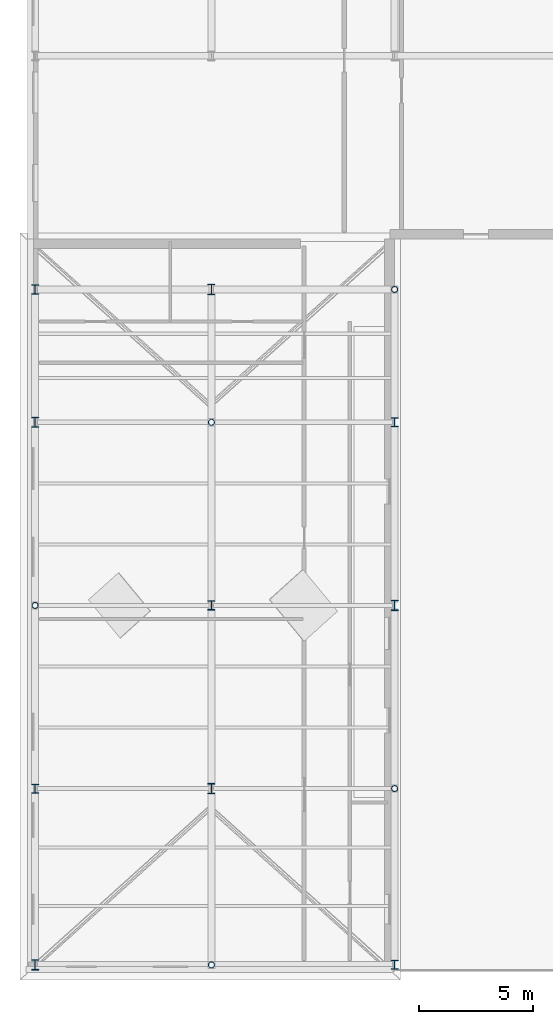
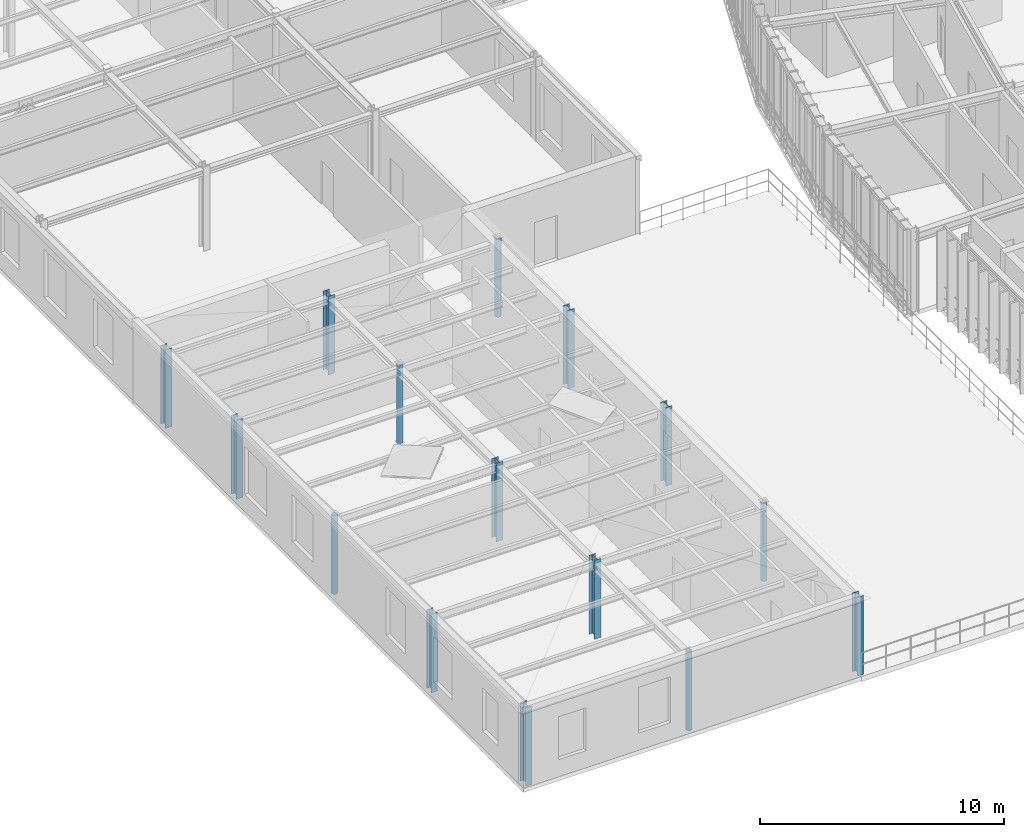
# One storey, part 1 of 52: 15 columns.
"""IFC4 building model written with IfcOpenShell, lengths in metres."""

from ifc_helpers import new_model, si_unit, direction, frame, origin, origin_2d, place, context, subcontext, project, spatial, hollow_circle, i_section, extrude, material, material_profile, profile_set, type_object, element, save


model = new_model("IFC4")

# Units and contexts
model_context = context("Model", 3, precision=1e-05, world=origin(), true_north=direction((0.0, 1.0)))
body_context = subcontext(model_context, "Body", "Model", "MODEL_VIEW")
ifc_project = project(units=[si_unit("LENGTHUNIT", "METRE"), si_unit("AREAUNIT", "SQUARE_METRE"), si_unit("VOLUMEUNIT", "CUBIC_METRE"), si_unit("PLANEANGLEUNIT", "RADIAN"), si_unit("MASSUNIT", "GRAM", prefix="KILO"), si_unit("THERMODYNAMICTEMPERATUREUNIT", "KELVIN"), si_unit("POWERUNIT", "WATT")], contexts=[model_context])

# Site, building, storey
site_placement = place(None, origin())
site = spatial("IfcSite", under=ifc_project, at=site_placement, CompositionType="ELEMENT")
building_placement = place(site_placement, origin())
building = spatial("IfcBuilding", under=site, at=building_placement, Name="Solvatero Civic Police Headquarters", CompositionType="ELEMENT")
storey_placement = place(building_placement, frame((0.0, 0.0, 13.5)))
storey = spatial("IfcBuildingStorey", under=building, at=storey_placement, Name="L03", CompositionType="ELEMENT", Elevation=13.5)

# Columns
ifc_material = material(Name="Steel S355", Category="steel")
ifc_material_profile_1 = material_profile(ifc_material, hollow_circle(Radius=0.136474609375, WallThickness=0.012451171875, at=origin_2d()), Name="CHS 273.0x12.5")
ifc_profile_set_1 = profile_set([ifc_material_profile_1], Name="Steel S355")
column_type_1 = type_object("IfcColumnType", Name="COL-ST-CHS273", PredefinedType="COLUMN", material=ifc_profile_set_1)
for number, where, z_axis, x_axis, name in (
    (1, (4.800048828125, 20.5, 0.0), (0.0, 0.0, 1.0), (1.0, 0.0, 0.0), "Column V4-X1Y3 L03"),
    (2, (12.5, 4.800048828125, 0.0), (0.0, 0.0, 1.0), (1.0, 0.0, 0.0), "Column V4-X2Y1 L03"),
    (3, (12.5, 28.5, 0.0), (0.0, 0.0, 1.0), (1.0, 0.0, 0.0), "Column V4-X2Y4 L03"),
    (4, (20.5, 12.5, 0.0), (0.0, 0.0, 1.0), (1.0, 0.0, 0.0), "Column V4-X3Y2 L03"),
    (5, (20.5, 34.300048828125, 0.0), (0.0, 0.0, 1.0), (1.0, 0.0, 0.0), "Column V4-X3Y5 L03"),
):
    element("IfcColumn", number, at=place(storey_placement, frame(where, z_axis=z_axis, x_axis=x_axis)), inside=storey, type_object=column_type_1, Name=name, PredefinedType="COLUMN", context=body_context, shape_type="SweptSolid", body=[
        extrude(hollow_circle(Radius=0.136474609375, WallThickness=0.012451171875, at=origin_2d()), origin(), (0.0, 0.0, 1.0), 3.93994140625),
    ])
ifc_material_profile_2 = material_profile(ifc_material, i_section(OverallWidth=0.300048828125, OverallDepth=0.39990234375, WebThickness=0.013427734375, FlangeThickness=0.02392578125, FilletRadius=0.027099609375, at=origin_2d()), Name="HEB 400")
ifc_profile_set_2 = profile_set([ifc_material_profile_2], Name="Steel S355")
column_type_2 = type_object("IfcColumnType", Name="COL-ST-HEB400", PredefinedType="COLUMN", material=ifc_profile_set_2)
for number, where, z_axis, x_axis, name in (
    (6, (4.800048828125, 12.5, 0.0), (0.0, 0.0, 1.0), (1.0, 0.0, 0.0), "Column V4-X1Y2 L03"),
    (7, (4.800048828125, 34.300048828125, 0.0), (0.0, 0.0, 1.0), (1.0, 0.0, 0.0), "Column V4-X1Y5 L03"),
    (8, (12.5, 20.5, 0.0), (0.0, 0.0, 1.0), (1.0, 0.0, 0.0), "Column V4-X2Y3 L03"),
    (9, (20.5, 4.800048828125, 0.0), (0.0, 0.0, 1.0), (1.0, 0.0, 0.0), "Column V4-X3Y1 L03"),
    (10, (20.5, 28.5, 0.0), (0.0, 0.0, 1.0), (1.0, 0.0, 0.0), "Column V4-X3Y4 L03"),
):
    element("IfcColumn", number, at=place(storey_placement, frame(where, z_axis=z_axis, x_axis=x_axis)), inside=storey, type_object=column_type_2, Name=name, PredefinedType="COLUMN", context=body_context, shape_type="SweptSolid", body=[
        extrude(i_section(OverallWidth=0.300048828125, OverallDepth=0.39990234375, WebThickness=0.013427734375, FlangeThickness=0.02392578125, FilletRadius=0.027099609375, at=origin_2d()), origin(), (0.0, 0.0, 1.0), 3.93994140625),
    ])
ifc_material_profile_3 = material_profile(ifc_material, i_section(OverallWidth=0.300048828125, OverallDepth=0.449951171875, WebThickness=0.013916015625, FlangeThickness=0.02587890625, FilletRadius=0.027099609375, at=origin_2d()), Name="HEB 450")
ifc_profile_set_3 = profile_set([ifc_material_profile_3], Name="Steel S355")
column_type_3 = type_object("IfcColumnType", Name="COL-ST-HEB450", PredefinedType="COLUMN", material=ifc_profile_set_3)
for number, where, z_axis, x_axis, name in (
    (11, (4.800048828125, 4.800048828125, 0.0), (0.0, 0.0, 1.0), (1.0, 0.0, 0.0), "Column V4-X1Y1 L03"),
    (12, (4.800048828125, 28.5, 0.0), (0.0, 0.0, 1.0), (1.0, 0.0, 0.0), "Column V4-X1Y4 L03"),
    (13, (12.5, 12.5, 0.0), (0.0, 0.0, 1.0), (1.0, 0.0, 0.0), "Column V4-X2Y2 L03"),
    (14, (12.5, 34.300048828125, 0.0), (0.0, 0.0, 1.0), (1.0, 0.0, 0.0), "Column V4-X2Y5 L03"),
    (15, (20.5, 20.5, 0.0), (0.0, 0.0, 1.0), (1.0, 0.0, 0.0), "Column V4-X3Y3 L03"),
):
    element("IfcColumn", number, at=place(storey_placement, frame(where, z_axis=z_axis, x_axis=x_axis)), inside=storey, type_object=column_type_3, Name=name, PredefinedType="COLUMN", context=body_context, shape_type="SweptSolid", body=[
        extrude(i_section(OverallWidth=0.300048828125, OverallDepth=0.449951171875, WebThickness=0.013916015625, FlangeThickness=0.02587890625, FilletRadius=0.027099609375, at=origin_2d()), origin(), (0.0, 0.0, 1.0), 3.93994140625),
    ])

save(model, "model.ifc")
